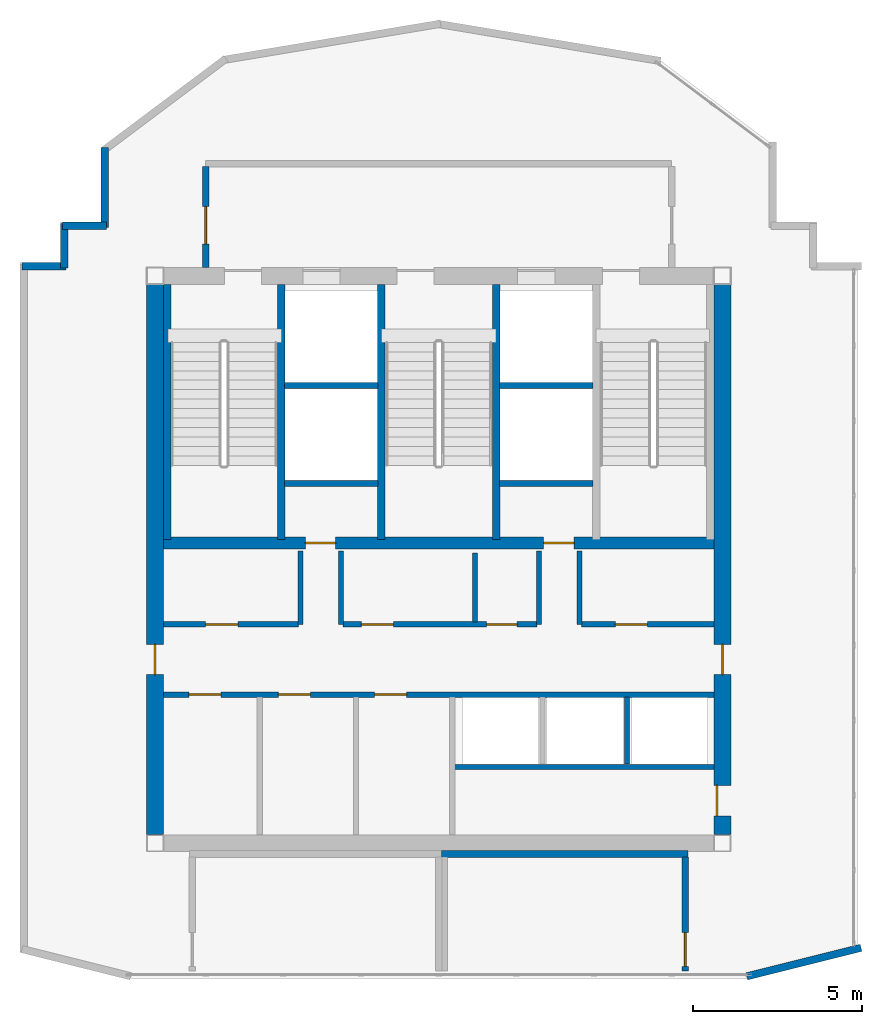
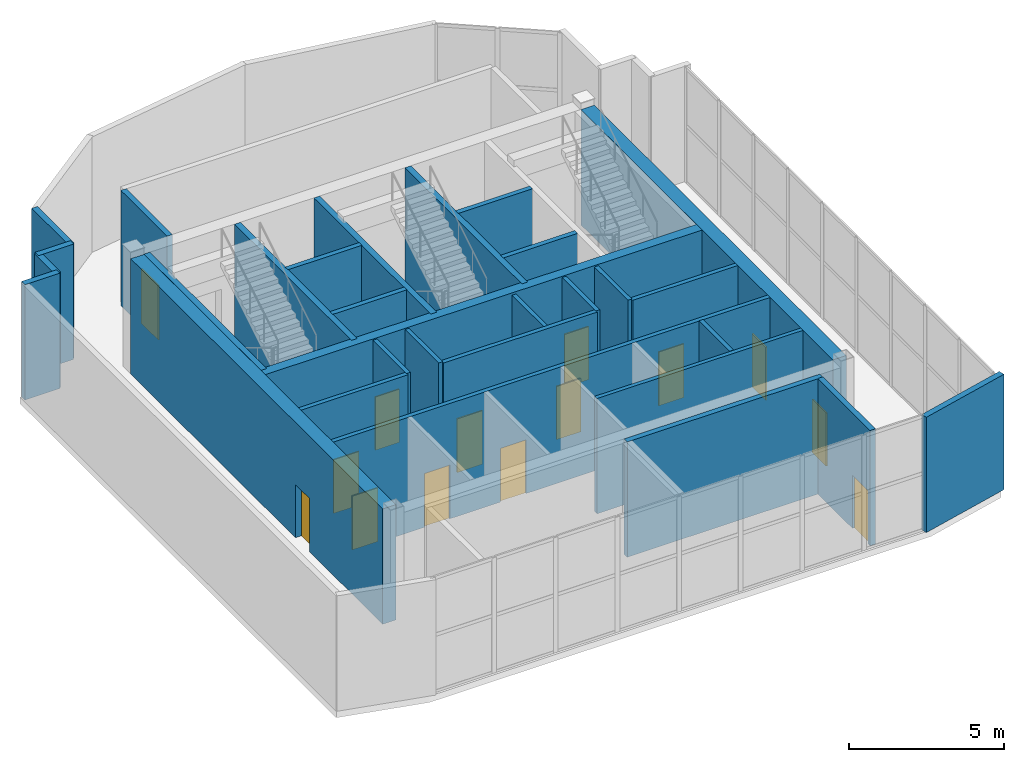
# One storey, part 7 of 9: 30 walls, 14 doors, 14 openings.
"""IFC4 building model written with IfcOpenShell, lengths in metres."""

from ifc_helpers import new_model, si_unit, direction, frame, frame_2d, origin, place, context, subcontext, project, spatial, rectangle, extrude, material, layer, layer_set, type_object, element, fill, save


model = new_model("IFC4")

# Units and contexts
model_context = context("Model", 3, precision=1e-05, world=origin(), true_north=direction((0.0, 1.0)))
body_context = subcontext(model_context, "Body", "Model", "MODEL_VIEW")
ifc_project = project(units=[si_unit("LENGTHUNIT", "METRE"), si_unit("AREAUNIT", "SQUARE_METRE"), si_unit("VOLUMEUNIT", "CUBIC_METRE"), si_unit("PLANEANGLEUNIT", "RADIAN"), si_unit("MASSUNIT", "GRAM", prefix="KILO")], contexts=[model_context])

# Site, building, storey
site_placement = place(None, origin())
site = spatial("IfcSite", under=ifc_project, at=site_placement, CompositionType="ELEMENT")
building_placement = place(site_placement, origin())
building = spatial("IfcBuilding", under=site, at=building_placement, Name="Haolan Belvedere Tower", CompositionType="ELEMENT")
storey_placement = place(building_placement, frame((0.0, 0.0, 328.199951171875)))
storey = spatial("IfcBuildingStorey", under=building, at=storey_placement, Name="L82", CompositionType="ELEMENT", Elevation=328.199951171875)

# Wall, opening, door
ifc_material_1 = material(Name="Concrete C50/60", Category="concrete")
ifc_layer_1 = layer(ifc_material_1, 0.5, Name="Concrete C50/60")
ifc_layer_set_1 = layer_set([ifc_layer_1], Name="Concrete C50/60")
wall_type_1 = type_object("IfcWallType", Name="WL-CORE-500", PredefinedType="SHEAR", material=ifc_layer_set_1)
wall_1_placement = place(storey_placement, frame((30.0, 26.659912109375, 0.0), z_axis=(0.0, 0.0, 1.0), x_axis=(0.0, 1.0, 0.0)))
wall_1 = element("IfcWall", 1, at=wall_1_placement, inside=storey, type_object=wall_type_1, Name="L82 central core west shear wall", PredefinedType="SHEAR", context=body_context, shape_type="SweptSolid", body=[
    extrude(rectangle(XDim=16.280029296875, YDim=0.5, at=frame_2d((8.14013671875, 0.0))), origin(), (0.0, 0.0, 1.0), 4.550048828125),
])
opening_1_placement = place(wall_1_placement, frame((4.72998046875, 0.0, 0.0)))
opening_1 = element("IfcOpeningElement", 2, at=opening_1_placement, cuts=wall_1, Name="Opening FD-05", PredefinedType="OPENING", context=body_context, shape_type="SweptSolid", body=[
    extrude(rectangle(XDim=0.89990234375, YDim=2.10009765625, at=frame_2d((0.449951171875, 1.050048828125))), frame((0.0, 0.260009765625, 0.0), z_axis=(0.0, -1.0, 0.0), x_axis=(1.0, 0.0, 0.0)), (0.0, 0.0, 1.0), 0.52001953125),
])
ifc_material_2 = material(Name="Galvanised fire-rated steel", Category="steel")
door_type_1 = type_object("IfcDoorType", Name="DR-FD60-900", OperationType="NOTDEFINED", PredefinedType="DOOR", material=ifc_material_2)
door_1_placement = place(opening_1_placement, origin())
door_1 = element("IfcDoor", 3, at=door_1_placement, inside=storey, type_object=door_type_1, Name="L82 door CD-L82-PLL-W", OperationType="SINGLE_SWING_LEFT", OverallHeight=2.10009765625, OverallWidth=0.89990234375, PredefinedType="DOOR", context=body_context, shape_type="SweptSolid", body=[
    extrude(rectangle(XDim=0.89990234375, YDim=2.10009765625, at=frame_2d((0.449951171875, 1.050048828125))), frame((0.0, 0.02490234375, 0.0), z_axis=(0.0, -1.0, 0.0), x_axis=(1.0, 0.0, 0.0)), (0.0, 0.0, 1.0), 0.050048828125),
])
fill(opening_1, door_1)

# Wall, openings, doors
wall_2_placement = place(storey_placement, frame((46.800048828125, 26.659912109375, 0.0), z_axis=(0.0, 0.0, 1.0), x_axis=(0.0, 1.0, 0.0)))
wall_2 = element("IfcWall", 4, at=wall_2_placement, inside=storey, type_object=wall_type_1, Name="L82 central core east shear wall", PredefinedType="SHEAR", context=body_context, shape_type="SweptSolid", body=[
    extrude(rectangle(XDim=16.280029296875, YDim=0.5, at=frame_2d((8.14013671875, 0.0))), origin(), (0.0, 0.0, 1.0), 4.550048828125),
])
opening_2_placement = place(wall_2_placement, frame((5.6298828125, 0.0, 0.0), z_axis=(0.0, 0.0, 1.0), x_axis=(-1.0, 0.0, 0.0)))
opening_2 = element("IfcOpeningElement", 5, at=opening_2_placement, cuts=wall_2, Name="Opening FD-05", PredefinedType="OPENING", context=body_context, shape_type="SweptSolid", body=[
    extrude(rectangle(XDim=0.89990234375, YDim=2.10009765625, at=frame_2d((0.449951171875, 1.050048828125))), frame((0.0, 0.260009765625, 0.0), z_axis=(0.0, -1.0, 0.0), x_axis=(1.0, 0.0, 0.0)), (0.0, 0.0, 1.0), 0.52001953125),
])
opening_3_placement = place(wall_2_placement, frame((1.449951171875, 0.0, 0.0), z_axis=(0.0, 0.0, 1.0), x_axis=(-1.0, 0.0, 0.0)))
opening_3 = element("IfcOpeningElement", 6, at=opening_3_placement, cuts=wall_2, Name="Opening FD-05", PredefinedType="OPENING", context=body_context, shape_type="SweptSolid", body=[
    extrude(rectangle(XDim=0.89990234375, YDim=2.10009765625, at=frame_2d((0.449951171875, 1.050048828125))), frame((0.0, 0.260009765625, 0.0), z_axis=(0.0, -1.0, 0.0), x_axis=(1.0, 0.0, 0.0)), (0.0, 0.0, 1.0), 0.52001953125),
])
door_2_placement = place(opening_2_placement, origin())
door_2 = element("IfcDoor", 7, at=door_2_placement, inside=storey, type_object=door_type_1, Name="L82 door CD-L82-PLL-E", OperationType="SINGLE_SWING_LEFT", OverallHeight=2.10009765625, OverallWidth=0.89990234375, PredefinedType="DOOR", context=body_context, shape_type="SweptSolid", body=[
    extrude(rectangle(XDim=0.89990234375, YDim=2.10009765625, at=frame_2d((0.449951171875, 1.050048828125))), frame((0.0, 0.02490234375, 0.0), z_axis=(0.0, -1.0, 0.0), x_axis=(1.0, 0.0, 0.0)), (0.0, 0.0, 1.0), 0.050048828125),
])
fill(opening_2, door_2)
door_3_placement = place(opening_3_placement, origin())
door_3 = element("IfcDoor", 8, at=door_3_placement, inside=storey, type_object=door_type_1, Name="L82 door CD-L82-SCVE", OperationType="SINGLE_SWING_RIGHT", OverallHeight=2.10009765625, OverallWidth=0.89990234375, PredefinedType="DOOR", context=body_context, shape_type="SweptSolid", body=[
    extrude(rectangle(XDim=0.89990234375, YDim=2.10009765625, at=frame_2d((0.449951171875, 1.050048828125))), frame((0.0, -0.134765625, 0.0), z_axis=(0.0, -1.0, 0.0), x_axis=(1.0, 0.0, 0.0)), (0.0, 0.0, 1.0), 0.050048828125),
])
fill(opening_3, door_3)

# Walls
ifc_material_3 = material(Name="Precast concrete C40/50", Category="concrete")
ifc_layer_2 = layer(ifc_material_3, 0.219970703125, Name="Precast concrete C40/50")
ifc_layer_set_2 = layer_set([ifc_layer_2], Name="Precast concrete C40/50")
wall_type_2 = type_object("IfcWallType", Name="WL-EXT-220", PredefinedType="SOLIDWALL", material=ifc_layer_set_2)
wall_3_placement = place(storey_placement, frame((47.52197265625, 22.455322265625, 0.0), z_axis=(0.0, 0.0, 1.0), x_axis=(0.970134270788, 0.242568540093, 0.0)))
element("IfcWall", 9, at=wall_3_placement, inside=storey, type_object=wall_type_2, Name="L82 pale-metal exterior spandrel wall 3.1", PredefinedType="SOLIDWALL", context=body_context, shape_type="SweptSolid", body=[
    extrude(rectangle(XDim=3.490478515625, YDim=0.219970703125, at=frame_2d((1.7451171875, 0.0))), origin(), (0.0, 0.0, 1.0), 4.550048828125),
])
wall_4_placement = place(storey_placement, frame((28.510009765625, 47.0, 0.0), z_axis=(0.0, 0.0, 1.0), x_axis=(0.0, -1.0, 0.0)))
element("IfcWall", 10, at=wall_4_placement, inside=storey, type_object=wall_type_2, Name="L82 pale-metal exterior spandrel wall 13.1", PredefinedType="SOLIDWALL", context=body_context, shape_type="SweptSolid", body=[
    extrude(rectangle(XDim=2.364990234375, YDim=0.219970703125, at=frame_2d((1.1826171875, 0.0))), origin(), (0.0, 0.0, 1.0), 4.550048828125),
])
for number, where, z_axis, x_axis, name in (
    (11, (28.56494140625, 44.68994140625, 0.0), (0.0, 0.0, 1.0), (-1.0, 0.0, 0.0), "L82 pale-metal exterior spandrel wall 14.1"),
    (12, (27.31005859375, 44.7451171875, 0.0), (0.0, 0.0, 1.0), (0.0, -1.0, 0.0), "L82 pale-metal exterior spandrel wall 15.1"),
    (13, (27.364990234375, 43.489990234375, 0.0), (0.0, 0.0, 1.0), (-1.0, 0.0, 0.0), "L82 pale-metal exterior spandrel wall 16.1"),
):
    element("IfcWall", number, at=place(storey_placement, frame(where, z_axis=z_axis, x_axis=x_axis)), inside=storey, type_object=wall_type_2, Name=name, PredefinedType="SOLIDWALL", context=body_context, shape_type="SweptSolid", body=[
        extrude(rectangle(XDim=1.31005859375, YDim=0.219970703125, at=frame_2d((0.655029296875, 0.0))), origin(), (0.0, 0.0, 1.0), 4.550048828125),
    ])

# Wall, opening, door
ifc_material_4 = material(Name="Concrete C40/50", Category="concrete")
ifc_layer_3 = layer(ifc_material_4, 0.199951171875, Name="Concrete C40/50")
ifc_layer_set_3 = layer_set([ifc_layer_3], Name="Concrete C40/50")
wall_type_3 = type_object("IfcWallType", Name="WL-FIRE-200", PredefinedType="SOLIDWALL", material=ifc_layer_set_3)
wall_5_placement = place(storey_placement, frame((31.5, 43.449951171875, 0.0), z_axis=(0.0, 0.0, 1.0), x_axis=(0.0, 1.0, 0.0)))
wall_5 = element("IfcWall", 14, at=wall_5_placement, inside=storey, type_object=wall_type_3, Name="L82 interior partition IW-L82-FFL-W", PredefinedType="SOLIDWALL", context=body_context, shape_type="SweptSolid", body=[
    extrude(rectangle(XDim=2.985107421875, YDim=0.199951171875, at=frame_2d((1.49267578125, 0.0))), origin(), (0.0, 0.0, 1.0), 4.550048828125),
])
opening_4_placement = place(wall_5_placement, frame((1.800048828125, 0.0, 0.0), z_axis=(0.0, 0.0, 1.0), x_axis=(-1.0, 0.0, 0.0)))
opening_4 = element("IfcOpeningElement", 15, at=opening_4_placement, cuts=wall_5, Name="Opening FD-03", PredefinedType="OPENING", context=body_context, shape_type="SweptSolid", body=[
    extrude(rectangle(XDim=1.10009765625, YDim=2.14990234375, at=frame_2d((0.550048828125, 1.074951171875))), frame((0.0, 0.10986328125, 0.0), z_axis=(0.0, -1.0, 0.0), x_axis=(1.0, 0.0, 0.0)), (0.0, 0.0, 1.0), 0.219970703125),
])
door_type_2 = type_object("IfcDoorType", Name="DR-FD90-1100", OperationType="NOTDEFINED", PredefinedType="DOOR", material=ifc_material_2)
door_4_placement = place(opening_4_placement, origin())
door_4 = element("IfcDoor", 16, at=door_4_placement, inside=storey, type_object=door_type_2, Name="L82 door ID-L82-FFL-DW", OperationType="SINGLE_SWING_LEFT", OverallHeight=2.14990234375, OverallWidth=1.10009765625, PredefinedType="DOOR", context=body_context, shape_type="SweptSolid", body=[
    extrude(rectangle(XDim=1.10009765625, YDim=2.14990234375, at=frame_2d((0.550048828125, 1.074951171875))), frame((0.0, 0.02490234375, 0.0), z_axis=(0.0, -1.0, 0.0), x_axis=(1.0, 0.0, 0.0)), (0.0, 0.0, 1.0), 0.050048828125),
])
fill(opening_4, door_4)

# Wall
wall_6_placement = place(storey_placement, frame((38.485107421875, 26.080078125, 0.0), z_axis=(0.0, 0.0, 1.0), x_axis=(1.0, 0.0, 0.0)))
element("IfcWall", 17, at=wall_6_placement, inside=storey, type_object=wall_type_3, Name="L82 interior partition IW-L82-CRN-AHU-N", PredefinedType="SOLIDWALL", context=body_context, shape_type="SweptSolid", body=[
    extrude(rectangle(XDim=7.294921875, YDim=0.199951171875, at=frame_2d((3.6474609375, 0.0))), origin(), (0.0, 0.0, 1.0), 4.550048828125),
])

# Wall, opening, door
wall_7_placement = place(storey_placement, frame((45.699951171875, 22.612060546875, 0.0), z_axis=(0.0, 0.0, 1.0), x_axis=(0.0, 1.0, 0.0)))
wall_7 = element("IfcWall", 18, at=wall_7_placement, inside=storey, type_object=wall_type_3, Name="L82 interior partition IW-L82-CRN-AHU-E", PredefinedType="SOLIDWALL", context=body_context, shape_type="SweptSolid", body=[
    extrude(rectangle(XDim=3.383056640625, YDim=0.199951171875, at=frame_2d((1.69140625, 0.0))), origin(), (0.0, 0.0, 1.0), 4.550048828125),
])
opening_5_placement = place(wall_7_placement, frame((1.139892578125, 0.0, 0.0), z_axis=(0.0, 0.0, 1.0), x_axis=(-1.0, 0.0, 0.0)))
opening_5 = element("IfcOpeningElement", 19, at=opening_5_placement, cuts=wall_7, Name="Opening FD-04", PredefinedType="OPENING", context=body_context, shape_type="SweptSolid", body=[
    extrude(rectangle(XDim=1.0, YDim=2.10009765625, at=frame_2d((0.5, 1.050048828125))), frame((0.0, 0.10986328125, 0.0), z_axis=(0.0, -1.0, 0.0), x_axis=(1.0, 0.0, 0.0)), (0.0, 0.0, 1.0), 0.219970703125),
])
door_type_3 = type_object("IfcDoorType", Name="DR-FD90-1000", OperationType="NOTDEFINED", PredefinedType="DOOR", material=ifc_material_2)
door_5_placement = place(opening_5_placement, origin())
door_5 = element("IfcDoor", 20, at=door_5_placement, inside=storey, type_object=door_type_3, Name="L82 door ID-L82-CRN-AHU", OperationType="SINGLE_SWING_LEFT", OverallHeight=2.10009765625, OverallWidth=1.0, PredefinedType="DOOR", context=body_context, shape_type="SweptSolid", body=[
    extrude(rectangle(XDim=1.0, YDim=2.10009765625, at=frame_2d((0.5, 1.050048828125))), frame((0.0, 0.02490234375, 0.0), z_axis=(0.0, -1.0, 0.0), x_axis=(1.0, 0.0, 0.0)), (0.0, 0.0, 1.0), 0.050048828125),
])
fill(opening_5, door_5)

# Walls
ifc_material_5 = material(Name="Double gypsum acoustic stud partition", Category="masonry")
ifc_layer_4 = layer(ifc_material_5, 0.14990234375, Name="Double gypsum acoustic stud partition")
ifc_layer_set_4 = layer_set([ifc_layer_4], Name="Double gypsum acoustic stud partition")
wall_type_4 = type_object("IfcWallType", Name="WL-PART-150", PredefinedType="PARTITIONING", material=ifc_layer_set_4)
wall_8_placement = place(storey_placement, frame((38.860107421875, 28.659912109375, 0.0), z_axis=(0.0, 0.0, 1.0), x_axis=(1.0, 0.0, 0.0)))
element("IfcWall", 21, at=wall_8_placement, inside=storey, type_object=wall_type_4, Name="L82 interior partition IW-L82-SSTRIP-E", PredefinedType="PARTITIONING", context=body_context, shape_type="SweptSolid", body=[
    extrude(rectangle(XDim=7.68994140625, YDim=0.14990234375, at=frame_2d((3.844970703125, 0.0))), origin(), (0.0, 0.0, 1.0), 4.550048828125),
])
ifc_material_6 = material(Name="Gypsum fire shaftwall assembly", Category="masonry")
ifc_layer_5 = layer(ifc_material_6, 0.1650390625, Name="Gypsum fire shaftwall assembly")
ifc_layer_set_5 = layer_set([ifc_layer_5], Name="Gypsum fire shaftwall assembly")
wall_type_5 = type_object("IfcWallType", Name="WL-SHAFT-160", PredefinedType="SOLIDWALL", material=ifc_layer_set_5)
for number, where, z_axis, x_axis, name in (
    (22, (34.31005859375, 32.8798828125, 0.0), (0.0, 0.0, 1.0), (0.0, 1.0, 0.0), "L82 interior partition IW-L82-SVP-W-SV1"),
    (23, (35.510009765625, 32.8798828125, 0.0), (0.0, 0.0, 1.0), (0.0, 1.0, 0.0), "L82 interior partition IW-L82-SVP-E-SV1"),
    (24, (41.3701171875, 32.8798828125, 0.0), (0.0, 0.0, 1.0), (0.0, 1.0, 0.0), "L82 interior partition IW-L82-SVP-W-SV2"),
    (25, (42.570068359375, 32.8798828125, 0.0), (0.0, 0.0, 1.0), (0.0, 1.0, 0.0), "L82 interior partition IW-L82-SVP-E-SV2"),
):
    element("IfcWall", number, at=place(storey_placement, frame(where, z_axis=z_axis, x_axis=x_axis)), inside=storey, type_object=wall_type_5, Name=name, PredefinedType="SOLIDWALL", context=body_context, shape_type="SweptSolid", body=[
        extrude(rectangle(XDim=2.170166015625, YDim=0.14990234375, at=frame_2d((1.0849609375, 0.0))), origin(), (0.0, 0.0, 1.0), 4.550048828125),
    ])

# Wall, opening, door
wall_9_placement = place(storey_placement, frame((30.25, 32.8798828125, 0.0), z_axis=(0.0, 0.0, 1.0), x_axis=(1.0, 0.0, 0.0)))
wall_9 = element("IfcWall", 26, at=wall_9_placement, inside=storey, type_object=wall_type_5, Name="L82 interior partition IW-L82-ROW-PN1", PredefinedType="SOLIDWALL", context=body_context, shape_type="SweptSolid", body=[
    extrude(rectangle(XDim=4.0, YDim=0.159912109375, at=frame_2d((2.0, 0.0))), origin(), (0.0, 0.0, 1.0), 4.550048828125),
])
opening_6_placement = place(wall_9_placement, frame((2.199951171875, 0.0, 0.0), z_axis=(0.0, 0.0, 1.0), x_axis=(-1.0, 0.0, 0.0)))
opening_6 = element("IfcOpeningElement", 27, at=opening_6_placement, cuts=wall_9, Name="Opening ID-03", PredefinedType="OPENING", context=body_context, shape_type="SweptSolid", body=[
    extrude(rectangle(XDim=0.949951171875, YDim=2.1201171875, at=frame_2d((0.47509765625, 1.06005859375))), frame((0.0, 0.08984375, 0.0), z_axis=(0.0, -1.0, 0.0), x_axis=(1.0, 0.0, 0.0)), (0.0, 0.0, 1.0), 0.179931640625),
])
ifc_material_7 = material(Name="Painted solid-core timber", Category="wood")
door_type_4 = type_object("IfcDoorType", Name="DR-INT-950", OperationType="NOTDEFINED", PredefinedType="DOOR", material=ifc_material_7)
door_6_placement = place(opening_6_placement, origin())
door_6 = element("IfcDoor", 28, at=door_6_placement, inside=storey, type_object=door_type_4, Name="L82 door ID-L82-CD-RPLW", OperationType="SINGLE_SWING_LEFT", OverallHeight=2.1201171875, OverallWidth=0.949951171875, PredefinedType="DOOR", context=body_context, shape_type="SweptSolid", body=[
    extrude(rectangle(XDim=0.949951171875, YDim=2.1201171875, at=frame_2d((0.47509765625, 1.06005859375))), frame((0.0, 0.02490234375, 0.0), z_axis=(0.0, -1.0, 0.0), x_axis=(1.0, 0.0, 0.0)), (0.0, 0.0, 1.0), 0.050048828125),
])
fill(opening_6, door_6)

# Wall, openings, doors
wall_10_placement = place(storey_placement, frame((35.570068359375, 32.8798828125, 0.0), z_axis=(0.0, 0.0, 1.0), x_axis=(1.0, 0.0, 0.0)))
wall_10 = element("IfcWall", 29, at=wall_10_placement, inside=storey, type_object=wall_type_5, Name="L82 interior partition IW-L82-ROW-PN2", PredefinedType="SOLIDWALL", context=body_context, shape_type="SweptSolid", body=[
    extrude(rectangle(XDim=5.739990234375, YDim=0.159912109375, at=frame_2d((2.8701171875, 0.0))), origin(), (0.0, 0.0, 1.0), 4.550048828125),
])
opening_7_placement = place(wall_10_placement, frame((1.489990234375, 0.0, 0.0), z_axis=(0.0, 0.0, 1.0), x_axis=(-1.0, 0.0, 0.0)))
opening_7 = element("IfcOpeningElement", 30, at=opening_7_placement, cuts=wall_10, Name="Opening ID-03", PredefinedType="OPENING", context=body_context, shape_type="SweptSolid", body=[
    extrude(rectangle(XDim=0.949951171875, YDim=2.1201171875, at=frame_2d((0.47509765625, 1.06005859375))), frame((0.0, 0.08984375, 0.0), z_axis=(0.0, -1.0, 0.0), x_axis=(1.0, 0.0, 0.0)), (0.0, 0.0, 1.0), 0.179931640625),
])
opening_8_placement = place(wall_10_placement, frame((5.14990234375, 0.0, 0.0), z_axis=(0.0, 0.0, 1.0), x_axis=(-1.0, 0.0, 0.0)))
opening_8 = element("IfcOpeningElement", 31, at=opening_8_placement, cuts=wall_10, Name="Opening FD-05", PredefinedType="OPENING", context=body_context, shape_type="SweptSolid", body=[
    extrude(rectangle(XDim=0.89990234375, YDim=2.10009765625, at=frame_2d((0.449951171875, 1.050048828125))), frame((0.0, 0.08984375, 0.0), z_axis=(0.0, -1.0, 0.0), x_axis=(1.0, 0.0, 0.0)), (0.0, 0.0, 1.0), 0.179931640625),
])
door_7_placement = place(opening_8_placement, origin())
door_7 = element("IfcDoor", 32, at=door_7_placement, inside=storey, type_object=door_type_1, Name="L82 door ID-L82-CD-RPH1", OperationType="SINGLE_SWING_RIGHT", OverallHeight=2.10009765625, OverallWidth=0.89990234375, PredefinedType="DOOR", context=body_context, shape_type="SweptSolid", body=[
    extrude(rectangle(XDim=0.89990234375, YDim=2.10009765625, at=frame_2d((0.449951171875, 1.050048828125))), frame((0.0, 0.02490234375, 0.0), z_axis=(0.0, -1.0, 0.0), x_axis=(1.0, 0.0, 0.0)), (0.0, 0.0, 1.0), 0.050048828125),
])
fill(opening_8, door_7)
door_8_placement = place(opening_7_placement, origin())
door_8 = element("IfcDoor", 33, at=door_8_placement, inside=storey, type_object=door_type_4, Name="L82 door ID-L82-CD-RPLE", OperationType="SINGLE_SWING_RIGHT", OverallHeight=2.1201171875, OverallWidth=0.949951171875, PredefinedType="DOOR", context=body_context, shape_type="SweptSolid", body=[
    extrude(rectangle(XDim=0.949951171875, YDim=2.1201171875, at=frame_2d((0.47509765625, 1.06005859375))), frame((0.0, 0.02490234375, 0.0), z_axis=(0.0, -1.0, 0.0), x_axis=(1.0, 0.0, 0.0)), (0.0, 0.0, 1.0), 0.050048828125),
])
fill(opening_7, door_8)

# Wall, opening, door
wall_11_placement = place(storey_placement, frame((42.6298828125, 32.8798828125, 0.0), z_axis=(0.0, 0.0, 1.0), x_axis=(1.0, 0.0, 0.0)))
wall_11 = element("IfcWall", 34, at=wall_11_placement, inside=storey, type_object=wall_type_5, Name="L82 interior partition IW-L82-ROW-PN3", PredefinedType="SOLIDWALL", context=body_context, shape_type="SweptSolid", body=[
    extrude(rectangle(XDim=3.920166015625, YDim=0.159912109375, at=frame_2d((1.9599609375, 0.0))), origin(), (0.0, 0.0, 1.0), 4.550048828125),
])
opening_9_placement = place(wall_11_placement, frame((1.949951171875, 0.0, 0.0), z_axis=(0.0, 0.0, 1.0), x_axis=(-1.0, 0.0, 0.0)))
opening_9 = element("IfcOpeningElement", 35, at=opening_9_placement, cuts=wall_11, Name="Opening ID-03", PredefinedType="OPENING", context=body_context, shape_type="SweptSolid", body=[
    extrude(rectangle(XDim=0.949951171875, YDim=2.1201171875, at=frame_2d((0.47509765625, 1.06005859375))), frame((0.0, 0.08984375, 0.0), z_axis=(0.0, -1.0, 0.0), x_axis=(1.0, 0.0, 0.0)), (0.0, 0.0, 1.0), 0.179931640625),
])
door_9_placement = place(opening_9_placement, origin())
door_9 = element("IfcDoor", 36, at=door_9_placement, inside=storey, type_object=door_type_4, Name="L82 door ID-L82-CD-RPH23", OperationType="SINGLE_SWING_LEFT", OverallHeight=2.1201171875, OverallWidth=0.949951171875, PredefinedType="DOOR", context=body_context, shape_type="SweptSolid", body=[
    extrude(rectangle(XDim=0.949951171875, YDim=2.1201171875, at=frame_2d((0.47509765625, 1.06005859375))), frame((0.0, 0.02490234375, 0.0), z_axis=(0.0, -1.0, 0.0), x_axis=(1.0, 0.0, 0.0)), (0.0, 0.0, 1.0), 0.050048828125),
])
fill(opening_9, door_9)

# Wall
wall_12_placement = place(storey_placement, frame((39.469970703125, 32.949951171875, 0.0), z_axis=(0.0, 0.0, 1.0), x_axis=(0.0, 1.0, 0.0)))
element("IfcWall", 37, at=wall_12_placement, inside=storey, type_object=wall_type_5, Name="L82 interior partition IW-L82-DIV-PL4R", PredefinedType="SOLIDWALL", context=body_context, shape_type="SweptSolid", body=[
    extrude(rectangle(XDim=2.050048828125, YDim=0.14990234375, at=frame_2d((1.02490234375, 0.0))), origin(), (0.0, 0.0, 1.0), 4.550048828125),
])

# Wall, openings, doors
wall_13_placement = place(storey_placement, frame((30.25, 30.800048828125, 0.0), z_axis=(0.0, 0.0, 1.0), x_axis=(1.0, 0.0, 0.0)))
wall_13 = element("IfcWall", 38, at=wall_13_placement, inside=storey, type_object=wall_type_5, Name="L82 interior partition IW-L82-ROW-PS", PredefinedType="SOLIDWALL", context=body_context, shape_type="SweptSolid", body=[
    extrude(rectangle(XDim=16.300048828125, YDim=0.159912109375, at=frame_2d((8.14990234375, 0.0))), origin(), (0.0, 0.0, 1.0), 4.550048828125),
])
opening_10_placement = place(wall_13_placement, frame((0.75, 0.0, 0.0)))
opening_10 = element("IfcOpeningElement", 39, at=opening_10_placement, cuts=wall_13, Name="Opening ID-03", PredefinedType="OPENING", context=body_context, shape_type="SweptSolid", body=[
    extrude(rectangle(XDim=0.949951171875, YDim=2.1201171875, at=frame_2d((0.47509765625, 1.06005859375))), frame((0.0, 0.08984375, 0.0), z_axis=(0.0, -1.0, 0.0), x_axis=(1.0, 0.0, 0.0)), (0.0, 0.0, 1.0), 0.179931640625),
])
opening_11_placement = place(wall_13_placement, frame((3.39990234375, 0.0, 0.0)))
opening_11 = element("IfcOpeningElement", 40, at=opening_11_placement, cuts=wall_13, Name="Opening ID-03", PredefinedType="OPENING", context=body_context, shape_type="SweptSolid", body=[
    extrude(rectangle(XDim=0.949951171875, YDim=2.1201171875, at=frame_2d((0.47509765625, 1.06005859375))), frame((0.0, 0.08984375, 0.0), z_axis=(0.0, -1.0, 0.0), x_axis=(1.0, 0.0, 0.0)), (0.0, 0.0, 1.0), 0.179931640625),
])
opening_12_placement = place(wall_13_placement, frame((6.25, 0.0, 0.0)))
opening_12 = element("IfcOpeningElement", 41, at=opening_12_placement, cuts=wall_13, Name="Opening ID-03", PredefinedType="OPENING", context=body_context, shape_type="SweptSolid", body=[
    extrude(rectangle(XDim=0.949951171875, YDim=2.1201171875, at=frame_2d((0.47509765625, 1.06005859375))), frame((0.0, 0.08984375, 0.0), z_axis=(0.0, -1.0, 0.0), x_axis=(1.0, 0.0, 0.0)), (0.0, 0.0, 1.0), 0.179931640625),
])
door_10_placement = place(opening_10_placement, origin())
door_10 = element("IfcDoor", 42, at=door_10_placement, inside=storey, type_object=door_type_4, Name="L82 door ID-L82-CD-RPMA", OperationType="SINGLE_SWING_LEFT", OverallHeight=2.1201171875, OverallWidth=0.949951171875, PredefinedType="DOOR", context=body_context, shape_type="SweptSolid", body=[
    extrude(rectangle(XDim=0.949951171875, YDim=2.1201171875, at=frame_2d((0.47509765625, 1.06005859375))), frame((0.0, 0.02490234375, 0.0), z_axis=(0.0, -1.0, 0.0), x_axis=(1.0, 0.0, 0.0)), (0.0, 0.0, 1.0), 0.050048828125),
])
fill(opening_10, door_10)
door_11_placement = place(opening_11_placement, origin())
door_11 = element("IfcDoor", 43, at=door_11_placement, inside=storey, type_object=door_type_4, Name="L82 door ID-L82-CD-RPMB", OperationType="SINGLE_SWING_RIGHT", OverallHeight=2.1201171875, OverallWidth=0.949951171875, PredefinedType="DOOR", context=body_context, shape_type="SweptSolid", body=[
    extrude(rectangle(XDim=0.949951171875, YDim=2.1201171875, at=frame_2d((0.47509765625, 1.06005859375))), frame((0.0, 0.02490234375, 0.0), z_axis=(0.0, -1.0, 0.0), x_axis=(1.0, 0.0, 0.0)), (0.0, 0.0, 1.0), 0.050048828125),
])
fill(opening_11, door_11)
door_12_placement = place(opening_12_placement, origin())
door_12 = element("IfcDoor", 44, at=door_12_placement, inside=storey, type_object=door_type_4, Name="L82 door ID-L82-CD-RPMC", OperationType="SINGLE_SWING_LEFT", OverallHeight=2.1201171875, OverallWidth=0.949951171875, PredefinedType="DOOR", context=body_context, shape_type="SweptSolid", body=[
    extrude(rectangle(XDim=0.949951171875, YDim=2.1201171875, at=frame_2d((0.47509765625, 1.06005859375))), frame((0.0, 0.02490234375, 0.0), z_axis=(0.0, -1.0, 0.0), x_axis=(1.0, 0.0, 0.0)), (0.0, 0.0, 1.0), 0.050048828125),
])
fill(opening_12, door_12)

# Walls
wall_14_placement = place(storey_placement, frame((43.97998046875, 28.75, 0.0), z_axis=(0.0, 0.0, 1.0), x_axis=(0.0, 1.0, 0.0)))
element("IfcWall", 45, at=wall_14_placement, inside=storey, type_object=wall_type_5, Name="L82 interior partition IW-L82-DIV-OB2", PredefinedType="SOLIDWALL", context=body_context, shape_type="SweptSolid", body=[
    extrude(rectangle(XDim=1.985107421875, YDim=0.14990234375, at=frame_2d((0.99267578125, 0.0))), origin(), (0.0, 0.0, 1.0), 4.550048828125),
])
ifc_layer_6 = layer(ifc_material_3, 0.179931640625, Name="Precast concrete C40/50")
ifc_layer_set_6 = layer_set([ifc_layer_6], Name="Precast concrete C40/50")
wall_type_6 = type_object("IfcWallType", Name="WL-SHAFT-180", PredefinedType="SOLIDWALL", material=ifc_layer_set_6)
for number, where, z_axis, x_axis, name in (
    (46, (33.8349609375, 39.949951171875, 0.0), (0.0, 0.0, 1.0), (1.0, 0.0, 0.0), "L82 interior partition IW-L82-FF1-S"),
    (47, (40.195068359375, 39.949951171875, 0.0), (0.0, 0.0, 1.0), (1.0, 0.0, 0.0), "L82 interior partition IW-L82-FF2-S"),
    (48, (33.8349609375, 37.050048828125, 0.0), (0.0, 0.0, 1.0), (1.0, 0.0, 0.0), "L82 interior partition IW-L82-SV1-S"),
    (49, (40.195068359375, 37.050048828125, 0.0), (0.0, 0.0, 1.0), (1.0, 0.0, 0.0), "L82 interior partition IW-L82-SV2-S"),
):
    element("IfcWall", number, at=place(storey_placement, frame(where, z_axis=z_axis, x_axis=x_axis)), inside=storey, type_object=wall_type_6, Name=name, PredefinedType="SOLIDWALL", context=body_context, shape_type="SweptSolid", body=[
        extrude(rectangle(XDim=2.77001953125, YDim=0.179931640625, at=frame_2d((1.385009765625, 0.0))), origin(), (0.0, 0.0, 1.0), 4.550048828125),
    ])
ifc_layer_7 = layer(ifc_material_1, 0.219970703125, Name="Concrete C50/60")
ifc_layer_set_7 = layer_set([ifc_layer_7], Name="Concrete C50/60")
wall_type_7 = type_object("IfcWallType", Name="WL-STAIR-220", PredefinedType="SHEAR", material=ifc_layer_set_7)
for number, where, z_axis, x_axis, name in (
    (50, (30.362060546875, 35.389892578125, 0.0), (0.0, 0.0, 1.0), (0.0, 1.0, 0.0), "L82 structural stair core wall ST1W"),
    (51, (33.739990234375, 35.389892578125, 0.0), (0.0, 0.0, 1.0), (0.0, 1.0, 0.0), "L82 structural stair core wall ST1E"),
    (52, (36.699951171875, 35.389892578125, 0.0), (0.0, 0.0, 1.0), (0.0, 1.0, 0.0), "L82 structural stair core wall ST3W"),
    (53, (40.10009765625, 35.389892578125, 0.0), (0.0, 0.0, 1.0), (0.0, 1.0, 0.0), "L82 structural stair core wall ST3E"),
):
    element("IfcWall", number, at=place(storey_placement, frame(where, z_axis=z_axis, x_axis=x_axis)), inside=storey, type_object=wall_type_7, Name=name, PredefinedType="SHEAR", context=body_context, shape_type="SweptSolid", body=[
        extrude(rectangle(XDim=7.56005859375, YDim=0.219970703125, at=frame_2d((3.780029296875, 0.0))), origin(), (0.0, 0.0, 1.0), 4.550048828125),
    ])

# Wall, openings, doors
ifc_material_8 = material(Name="Concrete C60/75", Category="concrete")
ifc_layer_8 = layer(ifc_material_8, 0.360107421875, Name="Concrete C60/75")
ifc_layer_set_8 = layer_set([ifc_layer_8], Name="Concrete C60/75")
wall_type_8 = type_object("IfcWallType", Name="WL-WEB-350", PredefinedType="SHEAR", material=ifc_layer_set_8)
wall_15_placement = place(storey_placement, frame((30.25, 35.2900390625, 0.0), z_axis=(0.0, 0.0, 1.0), x_axis=(1.0, 0.0, 0.0)))
wall_15 = element("IfcWall", 54, at=wall_15_placement, inside=storey, type_object=wall_type_8, Name="L82 central core internal shear web", PredefinedType="SHEAR", context=body_context, shape_type="SweptSolid", body=[
    extrude(rectangle(XDim=16.300048828125, YDim=0.360107421875, at=frame_2d((8.14990234375, 0.0))), origin(), (0.0, 0.0, 1.0), 4.550048828125),
])
opening_13_placement = place(wall_15_placement, frame((5.099853515625, 0.0, 0.0), z_axis=(0.0, 0.0, 1.0), x_axis=(-1.0, 0.0, 0.0)))
opening_13 = element("IfcOpeningElement", 55, at=opening_13_placement, cuts=wall_15, Name="Opening FD-05", PredefinedType="OPENING", context=body_context, shape_type="SweptSolid", body=[
    extrude(rectangle(XDim=0.89990234375, YDim=2.10009765625, at=frame_2d((0.449951171875, 1.050048828125))), frame((0.0, 0.18994140625, 0.0), z_axis=(0.0, -1.0, 0.0), x_axis=(1.0, 0.0, 0.0)), (0.0, 0.0, 1.0), 0.380126953125),
])
opening_14_placement = place(wall_15_placement, frame((12.159912109375, 0.0, 0.0), z_axis=(0.0, 0.0, 1.0), x_axis=(-1.0, 0.0, 0.0)))
opening_14 = element("IfcOpeningElement", 56, at=opening_14_placement, cuts=wall_15, Name="Opening FD-05", PredefinedType="OPENING", context=body_context, shape_type="SweptSolid", body=[
    extrude(rectangle(XDim=0.89990234375, YDim=2.10009765625, at=frame_2d((0.449951171875, 1.050048828125))), frame((0.0, 0.18994140625, 0.0), z_axis=(0.0, -1.0, 0.0), x_axis=(1.0, 0.0, 0.0)), (0.0, 0.0, 1.0), 0.380126953125),
])
door_13_placement = place(opening_13_placement, origin())
door_13 = element("IfcDoor", 57, at=door_13_placement, inside=storey, type_object=door_type_1, Name="L82 door CD-L82-SVL-SV1", OperationType="SINGLE_SWING_RIGHT", OverallHeight=2.10009765625, OverallWidth=0.89990234375, PredefinedType="DOOR", context=body_context, shape_type="SweptSolid", body=[
    extrude(rectangle(XDim=0.89990234375, YDim=2.10009765625, at=frame_2d((0.449951171875, 1.050048828125))), frame((0.0, 0.02490234375, 0.0), z_axis=(0.0, -1.0, 0.0), x_axis=(1.0, 0.0, 0.0)), (0.0, 0.0, 1.0), 0.050048828125),
])
fill(opening_13, door_13)
door_14_placement = place(opening_14_placement, origin())
door_14 = element("IfcDoor", 58, at=door_14_placement, inside=storey, type_object=door_type_1, Name="L82 door CD-L82-SVL-SV2", OperationType="SINGLE_SWING_RIGHT", OverallHeight=2.10009765625, OverallWidth=0.89990234375, PredefinedType="DOOR", context=body_context, shape_type="SweptSolid", body=[
    extrude(rectangle(XDim=0.89990234375, YDim=2.10009765625, at=frame_2d((0.449951171875, 1.050048828125))), frame((0.0, 0.02490234375, 0.0), z_axis=(0.0, -1.0, 0.0), x_axis=(1.0, 0.0, 0.0)), (0.0, 0.0, 1.0), 0.050048828125),
])
fill(opening_14, door_14)

save(model, "model.ifc")
